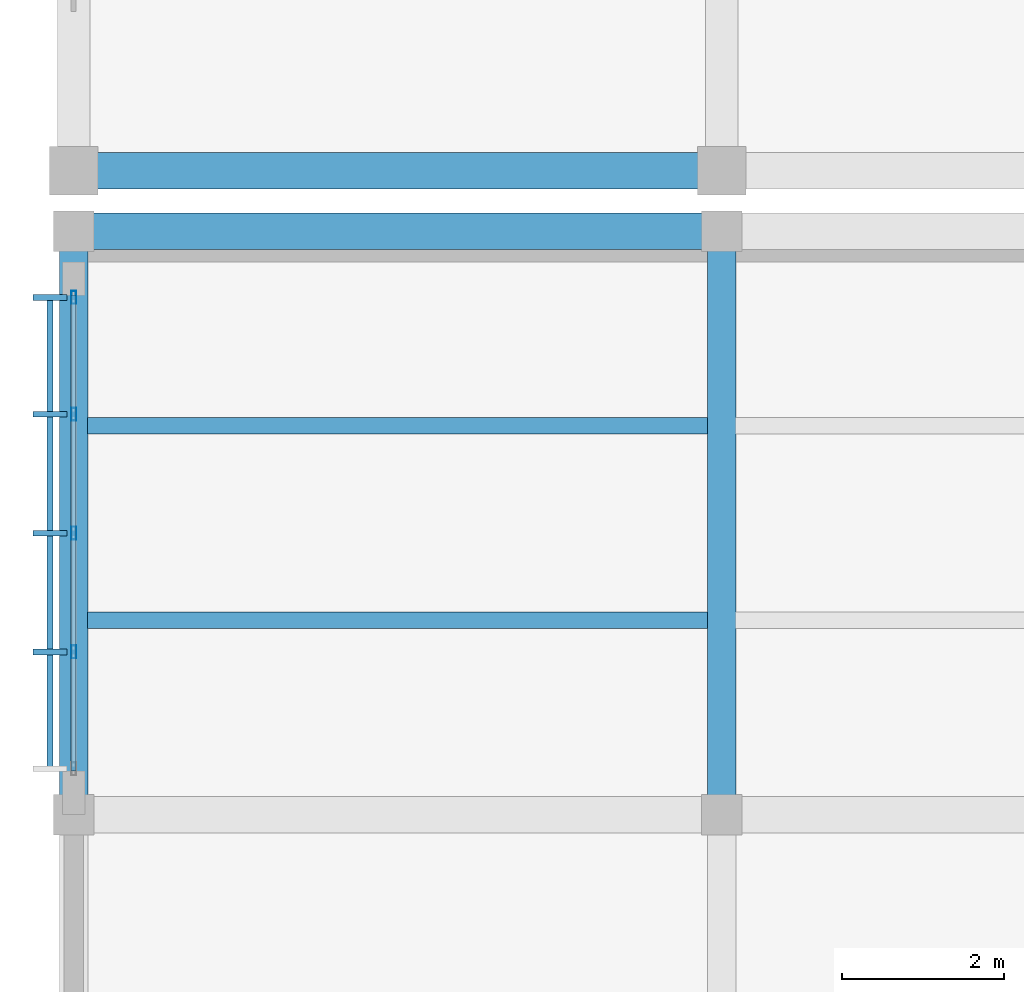
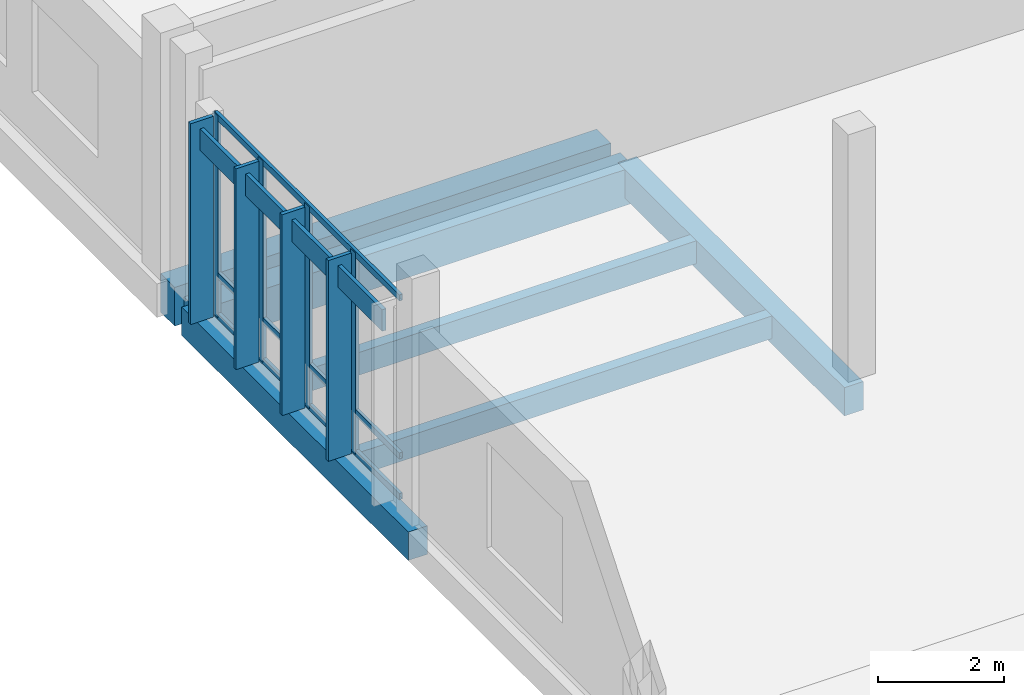
# One storey, part 65 of 177: 12 members, 6 beams, 1 element without a shape of its own.
"""IFC4 building model written with IfcOpenShell, lengths in metres."""

import ifcopenshell
import ifcopenshell.guid

model = None  # the IFC model being written
_history = None  # IfcOwnerHistory: only IFC2X3 demands one
_inside = {}  # id of a spatial element -> (the spatial element, [elements in it])
_under = {}  # id of a project, library or spatial element -> (it, [spatial elements below it])
_declared = {}  # id of a project -> (the project, [libraries it declares])
_typed = {}  # id of a type object -> (the type object, [elements of that type])
_made_of = {}  # id of a material, layer set ... -> (it, [elements and type objects made of it])


def new_model(schema):
    """Start an empty IFC model of exactly this schema.

    Asked for "IFC4X3", IfcOpenShell would pick the latest addendum, in which some entities
    have other attributes; the version numbers below select the first issue.
    IFC2X3 requires an IfcOwnerHistory on every rooted entity: one is made here for all.
    """
    global model, _history
    if schema == "IFC4X3":
        model = ifcopenshell.file(schema_version=(4, 3, 0, 0))
    else:
        model = ifcopenshell.file(schema=schema)
    _inside.clear()
    _under.clear()
    _declared.clear()
    _typed.clear()
    _made_of.clear()
    _history = None
    if model.schema == "IFC2X3":
        org = make("IfcOrganization", Name="unknown")
        user = make(
            "IfcPersonAndOrganization",
            ThePerson=make("IfcPerson", FamilyName="unknown"),
            TheOrganization=org,
        )
        app = make(
            "IfcApplication",
            ApplicationDeveloper=org,
            Version="unknown",
            ApplicationFullName="unknown",
            ApplicationIdentifier="unknown",
        )
        _history = make(
            "IfcOwnerHistory",
            OwningUser=user,
            OwningApplication=app,
            ChangeAction="ADDED",
            CreationDate=0,
        )
    return model


def make(cls, **values):
    """One entity of the class cls with the attributes given. An attribute that is None is left unset."""
    return model.create_entity(
        cls, **{name: value for name, value in values.items() if value is not None}
    )


def rooted(cls, **values):
    """An entity with a GlobalId (a new one), such as an element, a storey or a relation."""
    return make(cls, GlobalId=ifcopenshell.guid.new(), OwnerHistory=_history, **values)


def si_unit(unit_type, name, prefix=None):
    """IfcSIUnit, for example si_unit("LENGTHUNIT", "METRE", prefix="MILLI")."""
    return make("IfcSIUnit", UnitType=unit_type, Prefix=prefix, Name=name)


def assignment(units):
    """IfcUnitAssignment: the units of a project."""
    return None if units is None else make("IfcUnitAssignment", Units=units)


def point(xyz):
    """IfcCartesianPoint."""
    return None if xyz is None else make("IfcCartesianPoint", Coordinates=xyz)


def direction(xyz):
    """IfcDirection."""
    return None if xyz is None else make("IfcDirection", DirectionRatios=xyz)


def frame(location, z_axis=None, x_axis=None):
    """IfcAxis2Placement3D, a coordinate frame: its origin and axes. An axis left out is left unset."""
    return make(
        "IfcAxis2Placement3D",
        Location=point(location),
        Axis=direction(z_axis),
        RefDirection=direction(x_axis),
    )


def frame_2d(location, x_axis=None):
    """IfcAxis2Placement2D, a coordinate frame in the plane: its origin and x axis."""
    return make(
        "IfcAxis2Placement2D", Location=point(location), RefDirection=direction(x_axis)
    )


def origin():
    """The frame at (0, 0, 0) with its axes left unset."""
    return frame((0.0, 0.0, 0.0))


def origin_2d():
    """The frame at (0, 0) in the plane with its x axis left unset."""
    return frame_2d((0.0, 0.0))


def place(relative_to, where):
    """IfcLocalPlacement: puts the frame where relative to a parent placement (None: the world)."""
    return make(
        "IfcLocalPlacement", PlacementRelTo=relative_to, RelativePlacement=where
    )


def context(
    kind, dimensions, precision=None, world=None, true_north=None, identifier=None
):
    """IfcGeometricRepresentationContext, for example the 3D "Model" context."""
    return make(
        "IfcGeometricRepresentationContext",
        ContextIdentifier=identifier,
        ContextType=kind,
        CoordinateSpaceDimension=dimensions,
        Precision=precision,
        WorldCoordinateSystem=world,
        TrueNorth=true_north,
    )


def subcontext(parent, identifier, kind, view, scale=None):
    """IfcGeometricRepresentationSubContext, for example "Body" below "Model"."""
    return make(
        "IfcGeometricRepresentationSubContext",
        ContextIdentifier=identifier,
        ContextType=kind,
        ParentContext=parent,
        TargetScale=scale,
        TargetView=view,
    )


def project(units=None, contexts=None):
    """IfcProject with its units and contexts."""
    return rooted(
        "IfcProject",
        Name="project",
        RepresentationContexts=contexts,
        UnitsInContext=assignment(units),
    )


def spatial(cls, under=None, at=None, **own):
    """A site, building, storey or space (cls), placed at a placement, below another one or the project."""
    s = rooted(cls, ObjectPlacement=at, **own)
    if under is not None:
        _under.setdefault(under.id(), (under, []))[1].append(s)
    return s


def profile(cls, at=None, kind="AREA", **sizes):
    """A parametric profile (cls). Its sizes go by their IFC names, for example OverallWidth=200.0."""
    return make(cls, ProfileType=kind, Position=at, **sizes)


def rectangle(**sizes):
    """IfcRectangleProfileDef."""
    return profile("IfcRectangleProfileDef", **sizes)


def hollow_rectangle(**sizes):
    """IfcRectangleHollowProfileDef."""
    return profile("IfcRectangleHollowProfileDef", **sizes)


def extrude(swept, where, along, depth):
    """IfcExtrudedAreaSolid: the profile swept, set in the frame where, extruded along a direction by depth."""
    return make(
        "IfcExtrudedAreaSolid",
        SweptArea=swept,
        Position=where,
        ExtrudedDirection=direction(along),
        Depth=depth,
    )


def shape(context_of_items, identifier, shape_type, items):
    """IfcShapeRepresentation: the items that make up one representation, for example the "Body"."""
    return make(
        "IfcShapeRepresentation",
        ContextOfItems=context_of_items,
        RepresentationIdentifier=identifier,
        RepresentationType=shape_type,
        Items=items,
    )


def material(Name=None, Category=None):
    """IfcMaterial."""
    return make("IfcMaterial", Name=Name, Category=Category)


def material_profile(
    of_material, cross_section, Name=None, Category=None, Priority=None
):
    """IfcMaterialProfile: a cross section and its material."""
    return make(
        "IfcMaterialProfile",
        Name=Name,
        Material=of_material,
        Profile=cross_section,
        Priority=Priority,
        Category=Category,
    )


def profile_set(profiles, Name=None, composite=None):
    """IfcMaterialProfileSet."""
    return make(
        "IfcMaterialProfileSet",
        Name=Name,
        MaterialProfiles=profiles,
        CompositeProfile=composite,
    )


def made_of(thing, what):
    """Note that an element or type object is made of a material, layer set ...; save() writes the relation."""
    if what is not None:
        _made_of.setdefault(what.id(), (what, []))[1].append(thing)
    return thing


def type_object(cls, material=None, **own):
    """A type object (cls), such as IfcWallType, which elements share."""
    return made_of(rooted(cls, **own), material)


def element(
    cls,
    number,
    at=None,
    inside=None,
    cuts=None,
    type_object=None,
    material=None,
    context=None,
    identifier="Body",
    shape_type=None,
    held_by="IfcProductDefinitionShape",
    body=None,
    shapes=None,
    **own,
):
    """One element of the class cls, such as IfcWall. Its Tag is "e" and its number.

    at: its placement. inside: the storey or other place that contains it. cuts: it is an
    opening in that element (IfcRelVoidsElement). A single representation is given by context,
    identifier, shape_type and body (its items); several are given by shapes. held_by: the class
    of the entity that holds the representations. save() writes the other relations.
    """
    e = rooted(cls, Tag="e%d" % number, ObjectPlacement=at, **own)
    if body is not None:
        shapes = [shape(context, identifier, shape_type, body)]
    if shapes is not None:
        e.Representation = make(held_by, Representations=shapes)
    if inside is not None:
        _inside.setdefault(inside.id(), (inside, []))[1].append(e)
    if cuts is not None:
        rooted(
            "IfcRelVoidsElement", RelatingBuildingElement=cuts, RelatedOpeningElement=e
        )
    if type_object is not None:
        _typed.setdefault(type_object.id(), (type_object, []))[1].append(e)
    return made_of(e, material)


def aggregate(whole, parts):
    """IfcRelAggregates: a whole, such as a stair, and the parts it consists of."""
    return rooted("IfcRelAggregates", RelatingObject=whole, RelatedObjects=parts)


def save(model, path):
    """Write the relations noted so far, then the file.

    IfcRelAggregates (storeys below a building ...), IfcRelContainedInSpatialStructure (elements
    in a storey), IfcRelDefinesByType, IfcRelAssociatesMaterial and IfcRelDeclares: one each for
    every whole, place, type object, material and project.
    """
    for whole, parts in _under.values():
        aggregate(whole, parts)
    for where, things in _inside.values():
        rooted(
            "IfcRelContainedInSpatialStructure",
            RelatedElements=things,
            RelatingStructure=where,
        )
    for kind, things in _typed.values():
        rooted("IfcRelDefinesByType", RelatedObjects=things, RelatingType=kind)
    for what, things in _made_of.values():
        rooted("IfcRelAssociatesMaterial", RelatedObjects=things, RelatingMaterial=what)
    for by, libraries in _declared.values():
        rooted("IfcRelDeclares", RelatingContext=by, RelatedDefinitions=libraries)
    model.write(path)


model = new_model("IFC4")

# Units and contexts
model_context = context("Model", 3, precision=1e-05, world=origin(), true_north=direction((0.0, 1.0)))
body_context = subcontext(model_context, "Body", "Model", "MODEL_VIEW")
ifc_project = project(units=[si_unit("LENGTHUNIT", "METRE"), si_unit("AREAUNIT", "SQUARE_METRE"), si_unit("VOLUMEUNIT", "CUBIC_METRE"), si_unit("PLANEANGLEUNIT", "RADIAN"), si_unit("MASSUNIT", "GRAM", prefix="KILO")], contexts=[model_context])

# Site, building, storey
site_placement = place(None, origin())
site = spatial("IfcSite", under=ifc_project, at=site_placement, CompositionType="ELEMENT")
building_placement = place(site_placement, origin())
building = spatial("IfcBuilding", under=site, at=building_placement, Name="Chiffa Square Polytechnic", CompositionType="ELEMENT")
storey_placement = place(building_placement, frame((0.0, 0.0, 4.800048828125)))
storey = spatial("IfcBuildingStorey", under=building, at=storey_placement, Name="L01", CompositionType="ELEMENT", Elevation=4.800048828125)

# Beams
ifc_material_1 = material(Name="Concrete C35/45", Category="concrete")
ifc_material_profile_1 = material_profile(ifc_material_1, rectangle(XDim=0.35009765625, YDim=0.550048828125, at=origin_2d()), Name="RC 350x550")
ifc_profile_set_1 = profile_set([ifc_material_profile_1], Name="Concrete C35/45")
beam_type_1 = type_object("IfcBeamType", Name="BM-RC-350X550", PredefinedType="BEAM", material=ifc_profile_set_1)
for number, where, z_axis, x_axis, name in (
    (1, (0.0, 87.0, -0.554931640625), (0.0, 1.0, 0.0), (-1.0, 0.0, 0.0), "Primary floor girder BM-V6-L01-Y-0000-0870"),
    (2, (8.0, 87.0, -0.554931640625), (0.0, 1.0, 0.0), (-1.0, 0.0, 0.0), "Primary floor girder BM-V6-L01-Y-0080-0870"),
):
    element("IfcBeam", number, at=place(storey_placement, frame(where, z_axis=z_axis, x_axis=x_axis)), inside=storey, type_object=beam_type_1, Name=name, PredefinedType="BEAM", context=body_context, shape_type="SweptSolid", body=[
        extrude(rectangle(XDim=0.35009765625, YDim=0.550048828125, at=origin_2d()), origin(), (0.0, 0.0, 1.0), 7.199951171875),
    ])
ifc_material_profile_2 = material_profile(ifc_material_1, rectangle(XDim=0.449951171875, YDim=0.699951171875, at=origin_2d()), Name="RC 450x700")
ifc_profile_set_2 = profile_set([ifc_material_profile_2], Name="Concrete C35/45")
beam_type_2 = type_object("IfcBeamType", Name="BM-RC-450X700", PredefinedType="BEAM", material=ifc_profile_set_2)
beam_1_placement = place(storey_placement, frame((0.0, 94.199951171875, -0.630126953125), z_axis=(1.0, 0.0, 0.0), x_axis=(0.0, 1.0, 0.0)))
element("IfcBeam", 3, at=beam_1_placement, inside=storey, type_object=beam_type_2, Name="Primary floor girder BM-V6-L01-X-0000-0942", PredefinedType="BEAM", context=body_context, shape_type="SweptSolid", body=[
    extrude(rectangle(XDim=0.449951171875, YDim=0.699951171875, at=origin_2d()), origin(), (0.0, 0.0, 1.0), 8.0),
])
ifc_material_profile_3 = material_profile(ifc_material_1, rectangle(XDim=0.449951171875, YDim=0.75, at=origin_2d()), Name="RC 450x750")
ifc_profile_set_3 = profile_set([ifc_material_profile_3], Name="Concrete C35/45")
beam_type_3 = type_object("IfcBeamType", Name="BM-RC-450X750", PredefinedType="BEAM", material=ifc_profile_set_3)
beam_2_placement = place(storey_placement, frame((0.0, 94.949951171875, -0.655029296875), z_axis=(1.0, 0.0, 0.0), x_axis=(0.0, 1.0, 0.0)))
element("IfcBeam", 4, at=beam_2_placement, inside=storey, type_object=beam_type_3, Name="Primary floor girder BM-V5-L01-X-0000-0950", PredefinedType="BEAM", context=body_context, shape_type="SweptSolid", body=[
    extrude(rectangle(XDim=0.449951171875, YDim=0.75, at=origin_2d()), origin(), (0.0, 0.0, 1.0), 8.0),
])

# Curtain wall, members
ifc_material_2 = material(Name="Aluminium EN AW-6060 T66 and glulam shading", Category="wood")
curtain_wall_type = type_object("IfcCurtainWallType", Name="CW-VERT-300X380", PredefinedType="USERDEFINED", material=ifc_material_2)
curtain_wall_placement = place(storey_placement, origin())
curtain_wall = element("IfcCurtainWall", 5, at=curtain_wall_placement, inside=storey, type_object=curtain_wall_type, Name="Curtain wall CW-V6-L01-259", ObjectType="CURTAIN WALL", PredefinedType="USERDEFINED")
ifc_material_3 = material(Name="Aluminium EN AW-6060 T66", Category="aluminium")
ifc_material_profile_4 = material_profile(ifc_material_3, hollow_rectangle(XDim=0.06005859375, YDim=0.159912109375, WallThickness=0.00390625, at=origin_2d()), Name="ALU 60x160x4")
ifc_profile_set_4 = profile_set([ifc_material_profile_4], Name="Aluminium EN AW-6060 T66")
member_type_1 = type_object("IfcMemberType", Name="CWM-ALU-65X150", PredefinedType="MULLION", material=ifc_profile_set_4)
member_1_placement = place(storey_placement, frame((0.0, 93.385009765625, 0.0), z_axis=(0.0, 0.0, 1.0), x_axis=(1.0, 0.0, 0.0)))
member_1 = element("IfcMember", 6, at=member_1_placement, type_object=member_type_1, Name="Curtain wall mullion CW-V6-L01-259-M00", PredefinedType="MULLION", context=body_context, shape_type="SweptSolid", body=[
    extrude(hollow_rectangle(XDim=0.06005859375, YDim=0.159912109375, WallThickness=0.00390625, at=origin_2d()), origin(), (0.0, 0.0, 1.0), 3.9150390625),
])
member_2_placement = place(storey_placement, frame((0.0, 91.94189453125, 0.0), z_axis=(0.0, 0.0, 1.0), x_axis=(1.0, 0.0, 0.0)))
member_2 = element("IfcMember", 7, at=member_2_placement, type_object=member_type_1, Name="Curtain wall mullion CW-V6-L01-259-M01", PredefinedType="MULLION", context=body_context, shape_type="SweptSolid", body=[
    extrude(hollow_rectangle(XDim=0.06005859375, YDim=0.159912109375, WallThickness=0.00390625, at=origin_2d()), origin(), (0.0, 0.0, 1.0), 3.9150390625),
])
member_3_placement = place(storey_placement, frame((0.0, 90.47509765625, 0.0), z_axis=(0.0, 0.0, 1.0), x_axis=(1.0, 0.0, 0.0)))
member_3 = element("IfcMember", 8, at=member_3_placement, type_object=member_type_1, Name="Curtain wall mullion CW-V6-L01-259-M02", PredefinedType="MULLION", context=body_context, shape_type="SweptSolid", body=[
    extrude(hollow_rectangle(XDim=0.06005859375, YDim=0.159912109375, WallThickness=0.00390625, at=origin_2d()), origin(), (0.0, 0.0, 1.0), 3.9150390625),
])
member_4_placement = place(storey_placement, frame((0.0, 89.008056640625, 0.0), z_axis=(0.0, 0.0, 1.0), x_axis=(1.0, 0.0, 0.0)))
member_4 = element("IfcMember", 9, at=member_4_placement, type_object=member_type_1, Name="Curtain wall mullion CW-V6-L01-259-M03", PredefinedType="MULLION", context=body_context, shape_type="SweptSolid", body=[
    extrude(hollow_rectangle(XDim=0.06005859375, YDim=0.159912109375, WallThickness=0.00390625, at=origin_2d()), origin(), (0.0, 0.0, 1.0), 3.9150390625),
])
ifc_material_4 = material(Name="Glulam GL28h", Category="wood")
ifc_material_profile_5 = material_profile(ifc_material_4, rectangle(XDim=0.070068359375, YDim=0.419921875, at=origin_2d()), Name="GL28h 70x420")
ifc_profile_set_5 = profile_set([ifc_material_profile_5], Name="Glulam GL28h")
member_type_2 = type_object("IfcMemberType", Name="CWM-GL-70X420", PredefinedType="MULLION", material=ifc_profile_set_5)
member_5_placement = place(storey_placement, frame((-0.2919921875, 93.385009765625, 0.010009765625), z_axis=(0.0, 0.0, 1.0), x_axis=(0.0, -1.0, 0.0)))
member_5 = element("IfcMember", 10, at=member_5_placement, type_object=member_type_2, Name="Exterior glulam solar fin CW-V6-L01-259-FN00", PredefinedType="MULLION", context=body_context, shape_type="SweptSolid", body=[
    extrude(rectangle(XDim=0.070068359375, YDim=0.419921875, at=origin_2d()), origin(), (0.0, 0.0, 1.0), 3.89501953125),
])
member_6_placement = place(storey_placement, frame((-0.2919921875, 91.94189453125, 0.010009765625), z_axis=(0.0, 0.0, 1.0), x_axis=(0.0, -1.0, 0.0)))
member_6 = element("IfcMember", 11, at=member_6_placement, type_object=member_type_2, Name="Exterior glulam solar fin CW-V6-L01-259-FN01", PredefinedType="MULLION", context=body_context, shape_type="SweptSolid", body=[
    extrude(rectangle(XDim=0.070068359375, YDim=0.419921875, at=origin_2d()), origin(), (0.0, 0.0, 1.0), 3.89501953125),
])
member_7_placement = place(storey_placement, frame((-0.2919921875, 90.47509765625, 0.010009765625), z_axis=(0.0, 0.0, 1.0), x_axis=(0.0, -1.0, 0.0)))
member_7 = element("IfcMember", 12, at=member_7_placement, type_object=member_type_2, Name="Exterior glulam solar fin CW-V6-L01-259-FN02", PredefinedType="MULLION", context=body_context, shape_type="SweptSolid", body=[
    extrude(rectangle(XDim=0.070068359375, YDim=0.419921875, at=origin_2d()), origin(), (0.0, 0.0, 1.0), 3.89501953125),
])
member_8_placement = place(storey_placement, frame((-0.2919921875, 89.008056640625, 0.010009765625), z_axis=(0.0, 0.0, 1.0), x_axis=(0.0, -1.0, 0.0)))
member_8 = element("IfcMember", 13, at=member_8_placement, type_object=member_type_2, Name="Exterior glulam solar fin CW-V6-L01-259-FN03", PredefinedType="MULLION", context=body_context, shape_type="SweptSolid", body=[
    extrude(rectangle(XDim=0.070068359375, YDim=0.419921875, at=origin_2d()), origin(), (0.0, 0.0, 1.0), 3.89501953125),
])
ifc_material_profile_6 = material_profile(ifc_material_3, hollow_rectangle(XDim=0.06005859375, YDim=0.1201171875, WallThickness=0.00390625, at=origin_2d()), Name="ALU 60x120x4")
ifc_profile_set_6 = profile_set([ifc_material_profile_6], Name="Aluminium EN AW-6060 T66")
member_type_3 = type_object("IfcMemberType", Name="CWT-ALU-65X120", PredefinedType="USERDEFINED", material=ifc_profile_set_6)
member_9_placement = place(storey_placement, frame((0.0, 93.412109375, 0.030029296875), z_axis=(0.0, -1.0, 0.0), x_axis=(1.0, 0.0, 0.0)))
member_9 = element("IfcMember", 14, at=member_9_placement, type_object=member_type_3, Name="Curtain wall transom CW-V6-L01-259-T01", ObjectType="TRANSOM", PredefinedType="USERDEFINED", context=body_context, shape_type="SweptSolid", body=[
    extrude(hollow_rectangle(XDim=0.06005859375, YDim=0.1201171875, WallThickness=0.00390625, at=origin_2d()), origin(), (0.0, 0.0, 1.0), 5.8740234375),
])
member_10_placement = place(storey_placement, frame((0.0, 93.412109375, 0.820068359375), z_axis=(0.0, -1.0, 0.0), x_axis=(1.0, 0.0, 0.0)))
member_10 = element("IfcMember", 15, at=member_10_placement, type_object=member_type_3, Name="Curtain wall transom CW-V6-L01-259-T02", ObjectType="TRANSOM", PredefinedType="USERDEFINED", context=body_context, shape_type="SweptSolid", body=[
    extrude(hollow_rectangle(XDim=0.06005859375, YDim=0.1201171875, WallThickness=0.00390625, at=origin_2d()), origin(), (0.0, 0.0, 1.0), 5.8740234375),
])
member_11_placement = place(storey_placement, frame((0.0, 93.412109375, 3.885009765625), z_axis=(0.0, -1.0, 0.0), x_axis=(1.0, 0.0, 0.0)))
member_11 = element("IfcMember", 16, at=member_11_placement, type_object=member_type_3, Name="Curtain wall transom CW-V6-L01-259-T03", ObjectType="TRANSOM", PredefinedType="USERDEFINED", context=body_context, shape_type="SweptSolid", body=[
    extrude(hollow_rectangle(XDim=0.06005859375, YDim=0.1201171875, WallThickness=0.00390625, at=origin_2d()), origin(), (0.0, 0.0, 1.0), 5.8740234375),
])
ifc_material_profile_7 = material_profile(ifc_material_4, rectangle(XDim=0.070068359375, YDim=0.419921875, at=origin_2d()), Name="GL28h 70x420")
ifc_profile_set_7 = profile_set([ifc_material_profile_7], Name="Glulam GL28h")
member_type_4 = type_object("IfcMemberType", Name="CWT-GL-70X420", PredefinedType="USERDEFINED", material=ifc_profile_set_7)
member_12_placement = place(storey_placement, frame((-0.2919921875, 93.385009765625, 3.534912109375), z_axis=(0.0, -1.0, 0.0), x_axis=(1.0, 0.0, 0.0)))
member_12 = element("IfcMember", 17, at=member_12_placement, type_object=member_type_4, Name="Exterior glulam brise-soleil CW-V6-L01-259-BS01", ObjectType="TRANSOM", PredefinedType="USERDEFINED", context=body_context, shape_type="SweptSolid", body=[
    extrude(rectangle(XDim=0.070068359375, YDim=0.419921875, at=origin_2d()), origin(), (0.0, 0.0, 1.0), 5.820068359375),
])
aggregate(curtain_wall, [member_1, member_5, member_2, member_6, member_3, member_7, member_4, member_8, member_9, member_10, member_11, member_12])

# Beams
ifc_material_profile_8 = material_profile(ifc_material_4, rectangle(XDim=0.199951171875, YDim=0.43994140625, at=origin_2d()), Name="GL28h 200x440")
ifc_profile_set_8 = profile_set([ifc_material_profile_8], Name="Glulam GL28h")
beam_type_4 = type_object("IfcBeamType", Name="JST-GL-200X440", PredefinedType="JOIST", material=ifc_profile_set_8)
for number, where, z_axis, x_axis, name in (
    (18, (0.173095703125, 89.39990234375, -0.5), (1.0, 0.0, 0.0), (0.0, 1.0, 0.0), "Secondary floor joist JST-V6-L01-0000-0894"),
    (19, (0.173095703125, 91.800048828125, -0.5), (1.0, 0.0, 0.0), (0.0, 1.0, 0.0), "Secondary floor joist JST-V6-L01-0000-0918"),
):
    element("IfcBeam", number, at=place(storey_placement, frame(where, z_axis=z_axis, x_axis=x_axis)), inside=storey, type_object=beam_type_4, Name=name, PredefinedType="JOIST", context=body_context, shape_type="SweptSolid", body=[
        extrude(rectangle(XDim=0.199951171875, YDim=0.43994140625, at=origin_2d()), origin(), (0.0, 0.0, 1.0), 7.65380859375),
    ])

save(model, "model.ifc")
